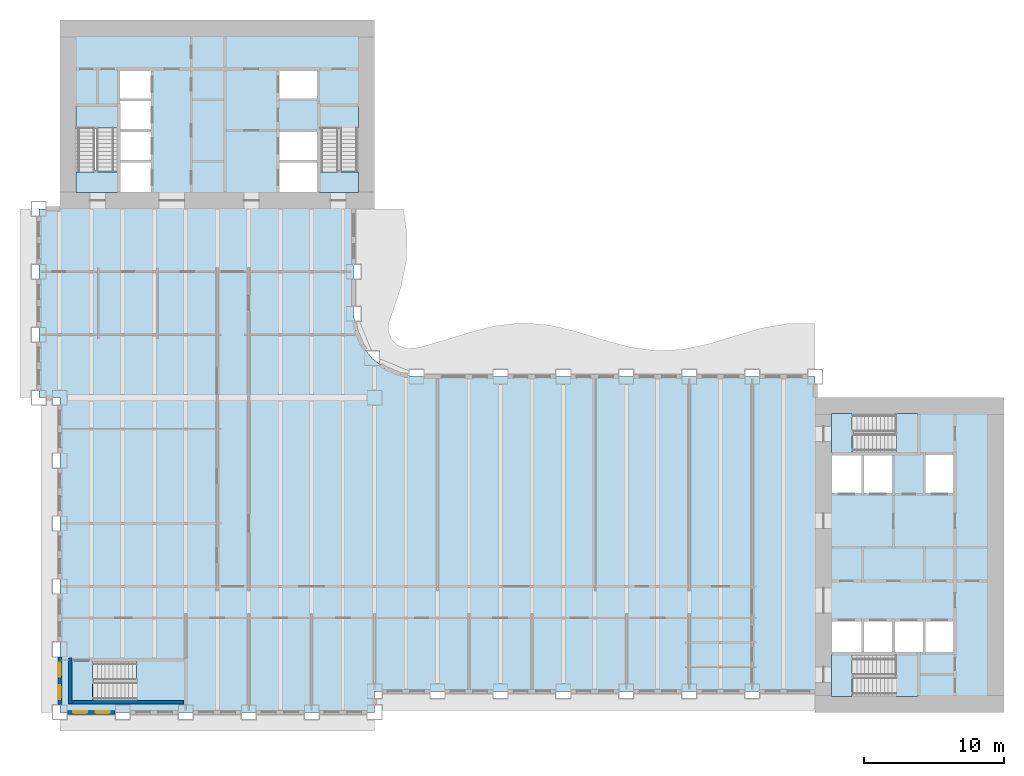
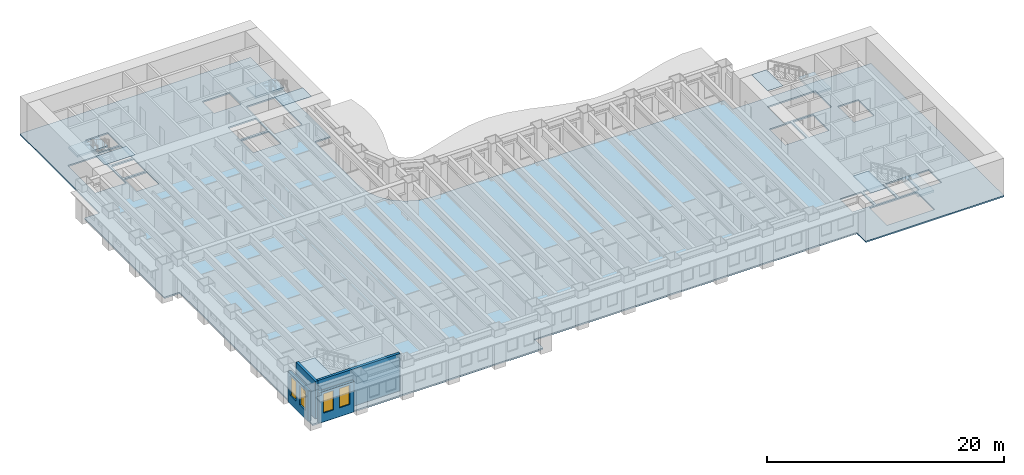
# One storey, part 2 of 17: 11 slabs, 4 walls, 4 windows, 4 openings, 5 elements without a shape of their own.
"""IFC4 building model written with IfcOpenShell, lengths in metres."""

from ifc_helpers import new_model, si_unit, direction, frame, frame_2d, origin, place, context, subcontext, project, spatial, polyline, rectangle, outline, extrude, material, layer, layer_set, type_object, element, fill, aggregate, save


model = new_model("IFC4")

# Units and contexts
model_context = context("Model", 3, precision=1e-05, world=origin(), true_north=direction((0.0, 1.0)))
body_context = subcontext(model_context, "Body", "Model", "MODEL_VIEW")
ifc_project = project(units=[si_unit("LENGTHUNIT", "METRE"), si_unit("AREAUNIT", "SQUARE_METRE"), si_unit("VOLUMEUNIT", "CUBIC_METRE"), si_unit("PLANEANGLEUNIT", "RADIAN"), si_unit("MASSUNIT", "GRAM", prefix="KILO")], contexts=[model_context])

# Site, building, storey
site_placement = place(None, origin())
site = spatial("IfcSite", under=ifc_project, at=site_placement, CompositionType="ELEMENT")
building_placement = place(site_placement, origin())
building = spatial("IfcBuilding", under=site, at=building_placement, Name="Sennacour Bend Tower", CompositionType="ELEMENT")
storey_placement = place(building_placement, frame((0.0, 0.0, 53.0)))
storey = spatial("IfcBuildingStorey", under=building, at=storey_placement, Name="L11", CompositionType="ELEMENT", Elevation=53.0)

# Slabs
ifc_material_1 = material(Name="Concrete C30/37", Category="concrete")
ifc_layer_1 = layer(ifc_material_1, 0.14990234375, Name="Concrete C30/37", Category="concrete")
ifc_layer_set_1 = layer_set([ifc_layer_1], Name="Concrete C30/37")
slab_type_1 = type_object("IfcSlabType", Name="Floor slab 150", PredefinedType="FLOOR", material=ifc_layer_set_1)
slab_1_placement = place(storey_placement, frame((0.0, 0.0, -0.14990234375)))
element("IfcSlab", 1, at=slab_1_placement, inside=storey, type_object=slab_type_1, Name="Floor slab L11-01", PredefinedType="FLOOR", context=body_context, shape_type="SweptSolid", body=[
    extrude(outline(polyline([(0.0, 22.5), (-1.5, 22.5), (-1.5, 36.0), (0.0, 36.0), (0.0, 49.5), (22.5, 49.5), (22.5, 36.0), (21.0, 36.0), (21.0, 28.5), (21.1533203125, 27.335205078125), (21.602783203125, 26.25), (22.318115234375, 25.318115234375), (23.25, 24.602783203125), (24.335205078125, 24.1533203125), (25.5, 24.0), (54.0, 24.0), (54.0, 22.5), (67.5, 22.5), (67.5, 0.0), (54.0, 0.0), (54.0, 1.5), (22.5, 1.5), (22.5, 0.0), (0.0, 0.0), (0.0, 22.5)]), holes=[polyline([(8.800048828125, 0.949951171875), (8.800048828125, 3.5), (2.429931640625, 3.5), (2.429931640625, 0.949951171875), (8.800048828125, 0.949951171875)]), polyline([(6.5, 37.199951171875), (6.5, 39.300048828125), (4.300048828125, 39.300048828125), (4.300048828125, 37.199951171875), (6.5, 37.199951171875)]), polyline([(18.39990234375, 37.199951171875), (18.39990234375, 39.300048828125), (15.699951171875, 39.300048828125), (15.699951171875, 37.199951171875), (18.39990234375, 37.199951171875)]), polyline([(6.5, 39.5), (6.5, 41.5), (4.300048828125, 41.5), (4.300048828125, 39.5), (6.5, 39.5)]), polyline([(18.39990234375, 39.5), (18.39990234375, 41.5), (15.699951171875, 41.5), (15.699951171875, 39.5), (18.39990234375, 39.5)]), polyline([(4.125, 38.72998046875), (4.125, 43.39990234375), (1.14990234375, 43.39990234375), (1.14990234375, 38.72998046875), (4.125, 38.72998046875)]), polyline([(21.35009765625, 38.72998046875), (21.35009765625, 43.39990234375), (18.574951171875, 43.39990234375), (18.574951171875, 38.72998046875), (21.35009765625, 38.72998046875)]), polyline([(4.300048828125, 41.699951171875), (6.5, 41.699951171875), (6.5, 43.699951171875), (4.300048828125, 43.699951171875), (4.300048828125, 41.699951171875)]), polyline([(4.300048828125, 43.89990234375), (6.5, 43.89990234375), (6.5, 45.89990234375), (4.300048828125, 45.89990234375), (4.300048828125, 43.89990234375)]), polyline([(18.39990234375, 43.89990234375), (18.39990234375, 45.89990234375), (15.699951171875, 45.89990234375), (15.699951171875, 43.89990234375), (18.39990234375, 43.89990234375)]), polyline([(61.39990234375, 1.14990234375), (61.39990234375, 4.125), (56.72998046875, 4.125), (56.72998046875, 1.14990234375), (61.39990234375, 1.14990234375)]), polyline([(57.300048828125, 4.300048828125), (57.300048828125, 6.5), (55.199951171875, 6.5), (55.199951171875, 4.300048828125), (57.300048828125, 4.300048828125)]), polyline([(57.5, 4.300048828125), (59.5, 4.300048828125), (59.5, 6.5), (57.5, 6.5), (57.5, 4.300048828125)]), polyline([(59.699951171875, 4.300048828125), (61.699951171875, 4.300048828125), (61.699951171875, 6.5), (59.699951171875, 6.5), (59.699951171875, 4.300048828125)]), polyline([(63.89990234375, 4.300048828125), (63.89990234375, 6.5), (61.89990234375, 6.5), (61.89990234375, 4.300048828125), (63.89990234375, 4.300048828125)]), polyline([(57.300048828125, 15.699951171875), (57.300048828125, 18.39990234375), (55.199951171875, 18.39990234375), (55.199951171875, 15.699951171875), (57.300048828125, 15.699951171875)]), polyline([(59.5, 15.699951171875), (59.5, 18.39990234375), (57.5, 18.39990234375), (57.5, 15.699951171875), (59.5, 15.699951171875)]), polyline([(61.89990234375, 15.699951171875), (63.89990234375, 15.699951171875), (63.89990234375, 18.39990234375), (61.89990234375, 18.39990234375), (61.89990234375, 15.699951171875)]), polyline([(56.72998046875, 18.574951171875), (61.39990234375, 18.574951171875), (61.39990234375, 21.35009765625), (56.72998046875, 21.35009765625), (56.72998046875, 18.574951171875)])]), origin(), (0.0, 0.0, 1.0), 0.14990234375),
])
ifc_material_2 = material(Name="Concrete C40/50", Category="concrete")
ifc_layer_2 = layer(ifc_material_2, 0.034912109375, Name="Concrete C40/50", Category="concrete")
ifc_layer_set_2 = layer_set([ifc_layer_2], Name="Concrete C40/50")
slab_type_2 = type_object("IfcSlabType", Name="Stair arrival nib 35", PredefinedType="FLOOR", material=ifc_layer_set_2)
slab_2_placement = place(storey_placement, frame((0.0, 0.0, 3.815185546875)))
element("IfcSlab", 2, at=slab_2_placement, inside=storey, type_object=slab_type_2, Name="L11 SA1 stair arrival nib", PredefinedType="FLOOR", context=body_context, shape_type="SweptSolid", body=[
    extrude(outline(polyline([(56.64208984375, 4.125), (55.14990234375, 4.125), (55.14990234375, 1.14990234375), (56.64208984375, 1.14990234375), (56.64208984375, 4.125)])), origin(), (0.0, 0.0, 1.0), 0.034912109375),
])
slab_3_placement = place(storey_placement, frame((0.0, 0.0, 3.815185546875)))
element("IfcSlab", 3, at=slab_3_placement, inside=storey, type_object=slab_type_2, Name="L11 SA2 stair arrival nib", PredefinedType="FLOOR", context=body_context, shape_type="SweptSolid", body=[
    extrude(outline(polyline([(56.64208984375, 21.35009765625), (55.14990234375, 21.35009765625), (55.14990234375, 18.574951171875), (56.64208984375, 18.574951171875), (56.64208984375, 21.35009765625)])), origin(), (0.0, 0.0, 1.0), 0.034912109375),
])
slab_4_placement = place(storey_placement, frame((0.0, 0.0, 3.815185546875)))
element("IfcSlab", 4, at=slab_4_placement, inside=storey, type_object=slab_type_2, Name="L11 SB1 stair arrival nib", PredefinedType="FLOOR", context=body_context, shape_type="SweptSolid", body=[
    extrude(outline(polyline([(1.14990234375, 38.64208984375), (1.14990234375, 37.14990234375), (4.125, 37.14990234375), (4.125, 38.64208984375), (1.14990234375, 38.64208984375)])), origin(), (0.0, 0.0, 1.0), 0.034912109375),
])
slab_5_placement = place(storey_placement, frame((0.0, 0.0, 3.815185546875)))
element("IfcSlab", 5, at=slab_5_placement, inside=storey, type_object=slab_type_2, Name="L11 SB2 stair arrival nib", PredefinedType="FLOOR", context=body_context, shape_type="SweptSolid", body=[
    extrude(outline(polyline([(18.574951171875, 38.64208984375), (18.574951171875, 37.14990234375), (21.35009765625, 37.14990234375), (21.35009765625, 38.64208984375), (18.574951171875, 38.64208984375)])), origin(), (0.0, 0.0, 1.0), 0.034912109375),
])
slab_6_placement = place(storey_placement, frame((0.0, 0.0, 3.815185546875)))
element("IfcSlab", 6, at=slab_6_placement, inside=storey, type_object=slab_type_2, Name="L11 SK1 stair arrival nib", PredefinedType="FLOOR", context=body_context, shape_type="SweptSolid", body=[
    extrude(outline(polyline([(2.342041015625, 3.675048828125), (0.800048828125, 3.675048828125), (0.800048828125, 0.800048828125), (2.342041015625, 0.800048828125), (2.342041015625, 3.675048828125)])), origin(), (0.0, 0.0, 1.0), 0.034912109375),
])

# Stair, slab
stair_type = type_object("IfcStairType", Name="ST-DOGLEG", PredefinedType="HALF_TURN_STAIR", material=ifc_material_2)
stair_1_placement = place(storey_placement, origin())
stair_1 = element("IfcStair", 7, at=stair_1_placement, inside=storey, type_object=stair_type, Name="L11 Exit stair A1", PredefinedType="HALF_TURN_STAIR")
ifc_layer_3 = layer(ifc_material_2, 0.199951171875, Name="Concrete C40/50", Category="concrete")
ifc_layer_set_3 = layer_set([ifc_layer_3], Name="Concrete C40/50")
slab_type_3 = type_object("IfcSlabType", Name="Stair landing 200", PredefinedType="LANDING", material=ifc_layer_set_3)
slab_7_placement = place(storey_placement, frame((0.0, 0.0, 1.800048828125)))
slab_7 = element("IfcSlab", 8, at=slab_7_placement, type_object=slab_type_3, Name="SA1 landing 1", PredefinedType="LANDING", context=body_context, shape_type="SweptSolid", body=[
    extrude(outline(polyline([(59.780029296875, 1.14990234375), (61.324951171875, 1.14990234375), (61.324951171875, 4.125), (59.780029296875, 4.125), (59.780029296875, 1.14990234375)])), origin(), (0.0, 0.0, 1.0), 0.199951171875),
])
aggregate(stair_1, [slab_7])

stair_2_placement = place(storey_placement, origin())
stair_2 = element("IfcStair", 9, at=stair_2_placement, inside=storey, type_object=stair_type, Name="L11 Exit stair A2", PredefinedType="HALF_TURN_STAIR")
slab_8_placement = place(storey_placement, frame((0.0, 0.0, 1.800048828125)))
slab_8 = element("IfcSlab", 10, at=slab_8_placement, type_object=slab_type_3, Name="SA2 landing 1", PredefinedType="LANDING", context=body_context, shape_type="SweptSolid", body=[
    extrude(outline(polyline([(59.780029296875, 18.574951171875), (61.324951171875, 18.574951171875), (61.324951171875, 21.35009765625), (59.780029296875, 21.35009765625), (59.780029296875, 18.574951171875)])), origin(), (0.0, 0.0, 1.0), 0.199951171875),
])
aggregate(stair_2, [slab_8])

stair_3_placement = place(storey_placement, origin())
stair_3 = element("IfcStair", 11, at=stair_3_placement, inside=storey, type_object=stair_type, Name="L11 Exit stair B1", PredefinedType="HALF_TURN_STAIR")
slab_9_placement = place(storey_placement, frame((0.0, 0.0, 1.800048828125)))
slab_9 = element("IfcSlab", 12, at=slab_9_placement, type_object=slab_type_3, Name="SB1 landing 1", PredefinedType="LANDING", context=body_context, shape_type="SweptSolid", body=[
    extrude(outline(polyline([(1.14990234375, 41.780029296875), (4.125, 41.780029296875), (4.125, 43.324951171875), (1.14990234375, 43.324951171875), (1.14990234375, 41.780029296875)])), origin(), (0.0, 0.0, 1.0), 0.199951171875),
])
aggregate(stair_3, [slab_9])

stair_4_placement = place(storey_placement, origin())
stair_4 = element("IfcStair", 13, at=stair_4_placement, inside=storey, type_object=stair_type, Name="L11 Exit stair B2", PredefinedType="HALF_TURN_STAIR")
slab_10_placement = place(storey_placement, frame((0.0, 0.0, 1.800048828125)))
slab_10 = element("IfcSlab", 14, at=slab_10_placement, type_object=slab_type_3, Name="SB2 landing 1", PredefinedType="LANDING", context=body_context, shape_type="SweptSolid", body=[
    extrude(outline(polyline([(18.574951171875, 41.780029296875), (21.35009765625, 41.780029296875), (21.35009765625, 43.324951171875), (18.574951171875, 43.324951171875), (18.574951171875, 41.780029296875)])), origin(), (0.0, 0.0, 1.0), 0.199951171875),
])
aggregate(stair_4, [slab_10])

stair_5_placement = place(storey_placement, origin())
stair_5 = element("IfcStair", 15, at=stair_5_placement, inside=storey, type_object=stair_type, Name="L11 Exit stair K1", PredefinedType="HALF_TURN_STAIR")
slab_11_placement = place(storey_placement, frame((0.0, 0.0, 1.800048828125)))
slab_11 = element("IfcSlab", 16, at=slab_11_placement, type_object=slab_type_3, Name="SK1 landing 1", PredefinedType="LANDING", context=body_context, shape_type="SweptSolid", body=[
    extrude(outline(polyline([(5.47998046875, 0.800048828125), (8.925048828125, 0.800048828125), (8.925048828125, 3.675048828125), (5.47998046875, 3.675048828125), (5.47998046875, 0.800048828125)])), origin(), (0.0, 0.0, 1.0), 0.199951171875),
])
aggregate(stair_5, [slab_11])

# Wall, openings, windows
ifc_material_3 = material(Name="Warm limestone cladding", Category="masonry")
ifc_layer_4 = layer(ifc_material_3, 0.050048828125, Name="Warm limestone cladding", Category="masonry")
ifc_material_4 = material(Name="Precast concrete C40/50", Category="concrete")
ifc_layer_5 = layer(ifc_material_4, 0.25, Name="Precast concrete C40/50", Category="concrete")
ifc_layer_set_4 = layer_set([ifc_layer_4, ifc_layer_5], Name="Precast concrete C40/50 with limestone cladding")
wall_type_1 = type_object("IfcWallType", Name="STONE-CLAD PRECAST SPANDREL 300", PredefinedType="STANDARD", material=ifc_layer_set_4)
wall_1_placement = place(storey_placement, frame((0.550048828125, 0.0, 0.0), z_axis=(0.0, 0.0, 1.0), x_axis=(1.0, 0.0, 0.0)))
wall_1 = element("IfcWall", 17, at=wall_1_placement, inside=storey, type_object=wall_type_1, Name="Stone spandrel and pier wall L11 00.00", PredefinedType="STANDARD", context=body_context, shape_type="SweptSolid", body=[
    extrude(rectangle(XDim=3.39990234375, YDim=0.300048828125, at=frame_2d((1.699951171875, 0.0))), origin(), (0.0, 0.0, 1.0), 3.14404296875),
])
opening_1_placement = place(wall_1_placement, frame((0.39990234375, 0.0, 0.89990234375)))
opening_1 = element("IfcOpeningElement", 18, at=opening_1_placement, cuts=wall_1, Name="Opening W8", PredefinedType="OPENING", context=body_context, shape_type="SweptSolid", body=[
    extrude(rectangle(XDim=1.0, YDim=2.0, at=frame_2d((0.5, 1.0))), frame((0.0, 0.16015625, 0.0), z_axis=(0.0, -1.0, 0.0), x_axis=(1.0, 0.0, 0.0)), (0.0, 0.0, 1.0), 0.320068359375),
])
opening_2_placement = place(wall_1_placement, frame((2.0, 0.0, 0.89990234375)))
opening_2 = element("IfcOpeningElement", 19, at=opening_2_placement, cuts=wall_1, Name="Opening W8", PredefinedType="OPENING", context=body_context, shape_type="SweptSolid", body=[
    extrude(rectangle(XDim=1.0, YDim=2.0, at=frame_2d((0.5, 1.0))), frame((0.0, 0.16015625, 0.0), z_axis=(0.0, -1.0, 0.0), x_axis=(1.0, 0.0, 0.0)), (0.0, 0.0, 1.0), 0.320068359375),
])
ifc_material_5 = material(Name="Clear low-emissivity glass", Category="glass")
window_type = type_object("IfcWindowType", Name="WIN-RIBBON-1000x2000", PartitioningType="SINGLE_PANEL", PredefinedType="WINDOW", material=ifc_material_5)
window_1_placement = place(opening_1_placement, origin())
window_1 = element("IfcWindow", 20, at=window_1_placement, inside=storey, type_object=window_type, Name="Ribbon window L11 00.00.0", OverallHeight=2.0, OverallWidth=1.0, PartitioningType="SINGLE_PANEL", PredefinedType="WINDOW", context=body_context, shape_type="SweptSolid", body=[
    extrude(rectangle(XDim=1.0, YDim=2.0, at=frame_2d((0.5, 1.0))), frame((0.0, 0.030029296875, 0.0), z_axis=(0.0, -1.0, 0.0), x_axis=(1.0, 0.0, 0.0)), (0.0, 0.0, 1.0), 0.06005859375),
])
fill(opening_1, window_1)
window_2_placement = place(opening_2_placement, origin())
window_2 = element("IfcWindow", 21, at=window_2_placement, inside=storey, type_object=window_type, Name="Ribbon window L11 00.00.1", OverallHeight=2.0, OverallWidth=1.0, PartitioningType="SINGLE_PANEL", PredefinedType="WINDOW", context=body_context, shape_type="SweptSolid", body=[
    extrude(rectangle(XDim=1.0, YDim=2.0, at=frame_2d((0.5, 1.0))), frame((0.0, 0.030029296875, 0.0), z_axis=(0.0, -1.0, 0.0), x_axis=(1.0, 0.0, 0.0)), (0.0, 0.0, 1.0), 0.06005859375),
])
fill(opening_2, window_2)

wall_2_placement = place(storey_placement, frame((0.0, 3.949951171875, 0.0), z_axis=(0.0, 0.0, 1.0), x_axis=(0.0, -1.0, 0.0)))
wall_2 = element("IfcWall", 22, at=wall_2_placement, inside=storey, type_object=wall_type_1, Name="Stone spandrel and pier wall L11 23.04", PredefinedType="STANDARD", context=body_context, shape_type="SweptSolid", body=[
    extrude(rectangle(XDim=3.39990234375, YDim=0.300048828125, at=frame_2d((1.699951171875, 0.0))), origin(), (0.0, 0.0, 1.0), 3.14404296875),
])
opening_3_placement = place(wall_2_placement, frame((0.39990234375, 0.0, 0.89990234375)))
opening_3 = element("IfcOpeningElement", 23, at=opening_3_placement, cuts=wall_2, Name="Opening W8", PredefinedType="OPENING", context=body_context, shape_type="SweptSolid", body=[
    extrude(rectangle(XDim=1.0, YDim=2.0, at=frame_2d((0.5, 1.0))), frame((0.0, 0.16015625, 0.0), z_axis=(0.0, -1.0, 0.0), x_axis=(1.0, 0.0, 0.0)), (0.0, 0.0, 1.0), 0.320068359375),
])
opening_4_placement = place(wall_2_placement, frame((2.0, 0.0, 0.89990234375)))
opening_4 = element("IfcOpeningElement", 24, at=opening_4_placement, cuts=wall_2, Name="Opening W8", PredefinedType="OPENING", context=body_context, shape_type="SweptSolid", body=[
    extrude(rectangle(XDim=1.0, YDim=2.0, at=frame_2d((0.5, 1.0))), frame((0.0, 0.16015625, 0.0), z_axis=(0.0, -1.0, 0.0), x_axis=(1.0, 0.0, 0.0)), (0.0, 0.0, 1.0), 0.320068359375),
])
window_3_placement = place(opening_3_placement, origin())
window_3 = element("IfcWindow", 25, at=window_3_placement, inside=storey, type_object=window_type, Name="Ribbon window L11 23.04.0", OverallHeight=2.0, OverallWidth=1.0, PartitioningType="SINGLE_PANEL", PredefinedType="WINDOW", context=body_context, shape_type="SweptSolid", body=[
    extrude(rectangle(XDim=1.0, YDim=2.0, at=frame_2d((0.5, 1.0))), frame((0.0, 0.030029296875, 0.0), z_axis=(0.0, -1.0, 0.0), x_axis=(1.0, 0.0, 0.0)), (0.0, 0.0, 1.0), 0.06005859375),
])
fill(opening_3, window_3)
window_4_placement = place(opening_4_placement, origin())
window_4 = element("IfcWindow", 26, at=window_4_placement, inside=storey, type_object=window_type, Name="Ribbon window L11 23.04.1", OverallHeight=2.0, OverallWidth=1.0, PartitioningType="SINGLE_PANEL", PredefinedType="WINDOW", context=body_context, shape_type="SweptSolid", body=[
    extrude(rectangle(XDim=1.0, YDim=2.0, at=frame_2d((0.5, 1.0))), frame((0.0, 0.030029296875, 0.0), z_axis=(0.0, -1.0, 0.0), x_axis=(1.0, 0.0, 0.0)), (0.0, 0.0, 1.0), 0.06005859375),
])
fill(opening_4, window_4)

# Walls
ifc_material_6 = material(Name="Concrete C60/75", Category="concrete")
ifc_layer_6 = layer(ifc_material_6, 0.25, Name="Concrete C60/75", Category="concrete")
ifc_layer_set_5 = layer_set([ifc_layer_6], Name="Concrete C60/75")
wall_type_2 = type_object("IfcWallType", Name="Stair wall 250", PredefinedType="SHEAR", material=ifc_layer_set_5)
wall_3_placement = place(storey_placement, frame((0.72509765625, 0.60009765625, 0.0), z_axis=(0.0, 0.0, 1.0), x_axis=(0.0, 1.0, 0.0)))
element("IfcWall", 27, at=wall_3_placement, inside=storey, type_object=wall_type_2, Name="P-L11-W003", PredefinedType="SHEAR", context=body_context, shape_type="SweptSolid", body=[
    extrude(rectangle(XDim=3.27490234375, YDim=0.25, at=frame_2d((1.637451171875, 0.0))), origin(), (0.0, 0.0, 1.0), 3.85009765625),
])
wall_4_placement = place(storey_placement, frame((0.85009765625, 0.72509765625, 0.0), z_axis=(0.0, 0.0, 1.0), x_axis=(1.0, 0.0, 0.0)))
element("IfcWall", 28, at=wall_4_placement, inside=storey, type_object=wall_type_2, Name="P-L11-W051", PredefinedType="SHEAR", context=body_context, shape_type="SweptSolid", body=[
    extrude(rectangle(XDim=8.02490234375, YDim=0.25, at=frame_2d((4.012451171875, 0.0))), origin(), (0.0, 0.0, 1.0), 3.85009765625),
])

save(model, "model.ifc")
